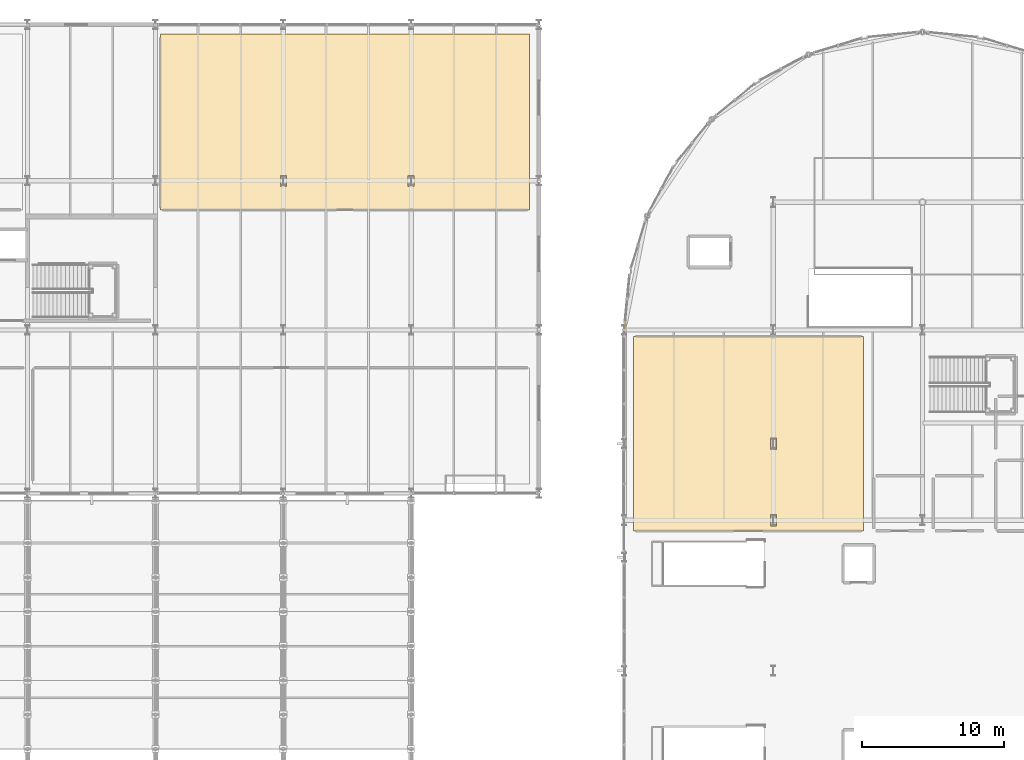
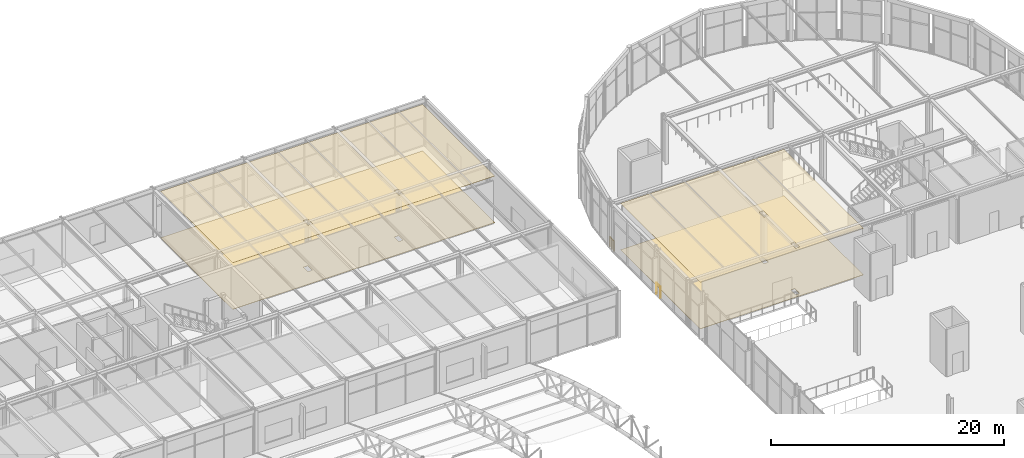
# One storey, part 180 of 195: 4 coverings, 2 railings.
"""IFC4 building model written with IfcOpenShell, lengths in metres."""

from ifc_helpers import new_model, si_unit, direction, frame, origin, origin_2d, place, context, subcontext, project, spatial, polyline, circle, outline, extrude, material, layer, layer_set, type_object, element, save


model = new_model("IFC4")

# Units and contexts
model_context = context("Model", 3, precision=1e-05, world=origin(), true_north=direction((0.0, 1.0)))
body_context = subcontext(model_context, "Body", "Model", "MODEL_VIEW")
ifc_project = project(units=[si_unit("LENGTHUNIT", "METRE"), si_unit("AREAUNIT", "SQUARE_METRE"), si_unit("VOLUMEUNIT", "CUBIC_METRE"), si_unit("PLANEANGLEUNIT", "RADIAN"), si_unit("MASSUNIT", "GRAM", prefix="KILO")], contexts=[model_context])

# Site, building, storey
site_placement = place(None, origin())
site = spatial("IfcSite", under=ifc_project, at=site_placement, CompositionType="ELEMENT")
building_placement = place(site_placement, origin())
building = spatial("IfcBuilding", under=site, at=building_placement, Name="Marlcrest Central Station", CompositionType="ELEMENT")
storey_placement = place(building_placement, frame((0.0, 0.0, 9.800048828125)))
storey = spatial("IfcBuildingStorey", under=building, at=storey_placement, Name="L02", CompositionType="ELEMENT", Elevation=9.800048828125)

# Coverings
ifc_material_1 = material(Name="Perforated acoustic mineral-fibre ceiling")
ifc_layer_1 = layer(ifc_material_1, 0.02490234375, Name="CV-CLG")
ifc_layer_set_1 = layer_set([ifc_layer_1], Name="Perforated acoustic mineral-fibre ceiling")
covering_type_1 = type_object("IfcCoveringType", Name="CV-CLG", PredefinedType="CEILING", material=ifc_layer_set_1)
covering_1_placement = place(storey_placement, frame((0.0, 0.0, 4.875)))
element("IfcCovering", 1, at=covering_1_placement, inside=storey, type_object=covering_type_1, Name="cov-clg-0095", PredefinedType="CEILING", context=body_context, shape_type="SweptSolid", body=[
    extrude(outline(polyline([(87.659912109375, 110.0400390625), (103.840087890625, 110.0400390625), (103.840087890625, 96.360107421875), (87.659912109375, 96.360107421875), (87.659912109375, 110.0400390625)]), holes=[polyline([(97.2900390625, 102.909912109375), (97.2900390625, 102.090087890625), (97.7099609375, 102.090087890625), (97.7099609375, 102.909912109375), (97.2900390625, 102.909912109375)]), polyline([(97.7099609375, 97.510009765625), (97.2900390625, 97.510009765625), (97.2900390625, 96.68994140625), (97.7099609375, 96.68994140625), (97.7099609375, 97.510009765625)])]), origin(), (0.0, 0.0, 1.0), 0.02490234375),
])
covering_2_placement = place(storey_placement, frame((0.0, 0.0, 4.875)))
element("IfcCovering", 2, at=covering_2_placement, inside=storey, type_object=covering_type_1, Name="cov-clg-0117", PredefinedType="CEILING", context=body_context, shape_type="SweptSolid", body=[
    extrude(outline(polyline([(54.360107421875, 131.340087890625), (80.340087890625, 131.340087890625), (80.340087890625, 118.9599609375), (54.360107421875, 118.9599609375), (54.360107421875, 131.340087890625)]), holes=[polyline([(62.7900390625, 121.385009765625), (62.7900390625, 120.614990234375), (63.2099609375, 120.614990234375), (63.2099609375, 121.385009765625), (62.7900390625, 121.385009765625)]), polyline([(72.2099609375, 121.385009765625), (71.7900390625, 121.385009765625), (71.7900390625, 120.614990234375), (72.2099609375, 120.614990234375), (72.2099609375, 121.385009765625)])]), origin(), (0.0, 0.0, 1.0), 0.02490234375),
])
ifc_material_2 = material(Name="Polished terrazzo and tactile transit flooring")
ifc_layer_2 = layer(ifc_material_2, 0.030029296875, Name="CV-FLR")
ifc_layer_set_2 = layer_set([ifc_layer_2], Name="Polished terrazzo and tactile transit flooring")
covering_type_2 = type_object("IfcCoveringType", Name="CV-FLR", PredefinedType="FLOORING", material=ifc_layer_set_2)
covering_3_placement = place(storey_placement, origin())
element("IfcCovering", 3, at=covering_3_placement, inside=storey, type_object=covering_type_2, Name="cov-flr-0096", PredefinedType="FLOORING", context=body_context, shape_type="SweptSolid", body=[
    extrude(outline(polyline([(87.659912109375, 110.0400390625), (103.840087890625, 110.0400390625), (103.840087890625, 96.360107421875), (87.659912109375, 96.360107421875), (87.659912109375, 110.0400390625)]), holes=[polyline([(97.2900390625, 102.909912109375), (97.2900390625, 102.090087890625), (97.7099609375, 102.090087890625), (97.7099609375, 102.909912109375), (97.2900390625, 102.909912109375)]), polyline([(97.7099609375, 97.510009765625), (97.2900390625, 97.510009765625), (97.2900390625, 96.68994140625), (97.7099609375, 96.68994140625), (97.7099609375, 97.510009765625)])]), origin(), (0.0, 0.0, 1.0), 0.030029296875),
])
covering_4_placement = place(storey_placement, origin())
element("IfcCovering", 4, at=covering_4_placement, inside=storey, type_object=covering_type_2, Name="cov-flr-0118", PredefinedType="FLOORING", context=body_context, shape_type="SweptSolid", body=[
    extrude(outline(polyline([(54.360107421875, 131.340087890625), (80.340087890625, 131.340087890625), (80.340087890625, 118.9599609375), (54.360107421875, 118.9599609375), (54.360107421875, 131.340087890625)]), holes=[polyline([(62.7900390625, 121.385009765625), (62.7900390625, 120.614990234375), (63.2099609375, 120.614990234375), (63.2099609375, 121.385009765625), (62.7900390625, 121.385009765625)]), polyline([(72.2099609375, 121.385009765625), (71.7900390625, 121.385009765625), (71.7900390625, 120.614990234375), (72.2099609375, 120.614990234375), (72.2099609375, 121.385009765625)])]), origin(), (0.0, 0.0, 1.0), 0.030029296875),
])

# Railings
ifc_material_3 = material(Name="Stainless steel and laminated glass concourse balustrade", Category="steel")
railing_type = type_object("IfcRailingType", Name="GR-02", PredefinedType="BALUSTRADE", material=ifc_material_3)
railing_1_placement = place(storey_placement, frame((87.06005859375, 102.159912109375, 0.0)))
element("IfcRailing", 5, at=railing_1_placement, inside=storey, type_object=railing_type, Name="hr-L02-00483", PredefinedType="BALUSTRADE", context=body_context, shape_type="SweptSolid", body=[
    extrude(circle(Radius=0.02392578125, at=origin_2d()), frame((0.0, 0.0, 1.09619140625), z_axis=(0.0, 1.0, 0.0), x_axis=(-1.0, 0.0, 0.0)), (0.0, 0.0, 1.0), 0.68017578125),
    extrude(circle(Radius=0.02099609375, at=origin_2d()), origin(), (0.0, 0.0, 1.0), 1.072021484375),
    extrude(circle(Radius=0.02099609375, at=origin_2d()), frame((0.0, 0.68017578125, 0.0)), (0.0, 0.0, 1.0), 1.072021484375),
])
railing_2_placement = place(storey_placement, frame((87.06005859375, 110.159912109375, 0.0)))
element("IfcRailing", 6, at=railing_2_placement, inside=storey, type_object=railing_type, Name="hr-L02-00484", PredefinedType="BALUSTRADE", context=body_context, shape_type="SweptSolid", body=[
    extrude(circle(Radius=0.02392578125, at=origin_2d()), frame((0.0, 0.0, 1.09619140625), z_axis=(0.0, 1.0, 0.0), x_axis=(-1.0, 0.0, 0.0)), (0.0, 0.0, 1.0), 0.337158203125),
    extrude(circle(Radius=0.02392578125, at=origin_2d()), frame((0.0, 0.337158203125, 1.09619140625), z_axis=(0.096985661157, 0.995285778824, 0.0), x_axis=(-0.995285778824, 0.096985661157, 0.0)), (0.0, 0.0, 1.0), 0.412841796875),
    extrude(circle(Radius=0.02099609375, at=origin_2d()), origin(), (0.0, 0.0, 1.0), 1.072021484375),
    extrude(circle(Radius=0.02099609375, at=origin_2d()), frame((0.0, 0.337158203125, 0.0)), (0.0, 0.0, 1.0), 1.072021484375),
    extrude(circle(Radius=0.02099609375, at=origin_2d()), frame((0.0400390625, 0.748046875, 0.0)), (0.0, 0.0, 1.0), 1.072021484375),
])

save(model, "model.ifc")
